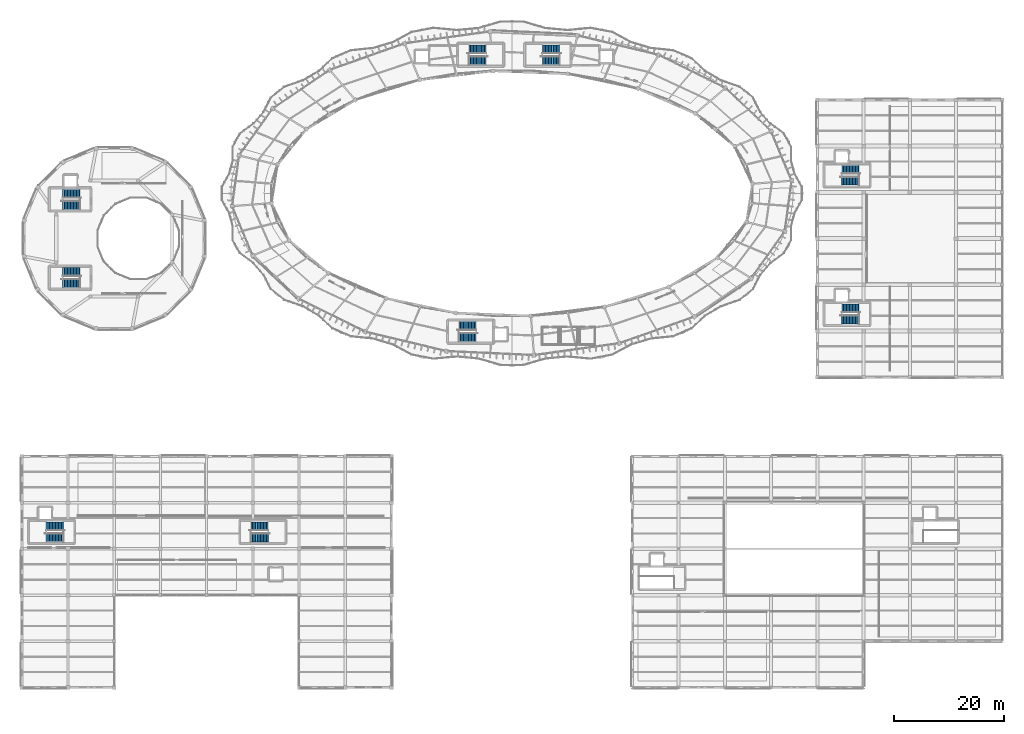
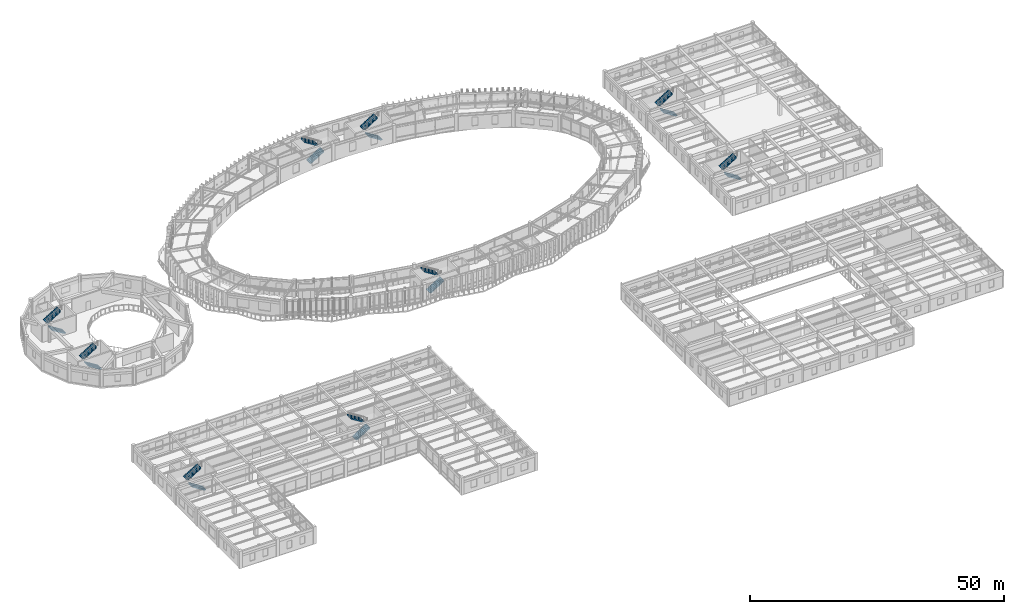
# One storey, part 121 of 138: 18 stair flights, 9 elements without a shape of their own.
"""IFC4 building model written with IfcOpenShell, lengths in metres."""

from ifc_helpers import new_model, si_unit, direction, frame, origin, place, context, subcontext, project, spatial, polyline, outline, extrude, material, type_object, element, aggregate, save


model = new_model("IFC4")

# Units and contexts
model_context = context("Model", 3, precision=1e-05, world=origin(), true_north=direction((0.0, 1.0)))
body_context = subcontext(model_context, "Body", "Model", "MODEL_VIEW")
ifc_project = project(units=[si_unit("LENGTHUNIT", "METRE"), si_unit("AREAUNIT", "SQUARE_METRE"), si_unit("VOLUMEUNIT", "CUBIC_METRE"), si_unit("PLANEANGLEUNIT", "RADIAN"), si_unit("MASSUNIT", "GRAM", prefix="KILO"), si_unit("THERMODYNAMICTEMPERATUREUNIT", "KELVIN"), si_unit("POWERUNIT", "WATT")], contexts=[model_context])

# Site, building, storey
site_placement = place(None, origin())
site = spatial("IfcSite", under=ifc_project, at=site_placement, CompositionType="ELEMENT")
building_placement = place(site_placement, origin())
building = spatial("IfcBuilding", under=site, at=building_placement, Name="Darbajah Civic Hall", CompositionType="ELEMENT")
storey_placement = place(building_placement, frame((0.0, 0.0, 9.60009765625)))
storey = spatial("IfcBuildingStorey", under=building, at=storey_placement, Name="L02", CompositionType="ELEMENT", Elevation=9.60009765625)

# Stair, stair flights
ifc_material_1 = material(Name="Concrete C45/55", Category="concrete")
stair_type = type_object("IfcStairType", Name="Half Turn Stair 1650x4200", PredefinedType="HALF_TURN_STAIR", material=ifc_material_1)
stair_1_placement = place(storey_placement, origin())
stair_1 = element("IfcStair", 1, at=stair_1_placement, inside=storey, type_object=stair_type, Name="L02 enclosed exit stair ST01", PredefinedType="HALF_TURN_STAIR")
ifc_material_2 = material(Name="Precast Concrete C45/55", Category="concrete")
stair_flight_type = type_object("IfcStairFlightType", Name="Stair Flight 12R 280G", PredefinedType="STRAIGHT", material=ifc_material_2)
stair_flight_1_placement = place(storey_placement, frame((81.280029296875, 113.965087890625, 0.0), z_axis=(0.0, 0.0, 1.0), x_axis=(1.0, 0.0, 0.0)))
stair_flight_1 = element("IfcStairFlight", 2, at=stair_flight_1_placement, type_object=stair_flight_type, Name="ST01 L02 lower flight", NumberOfRisers=12, NumberOfTreads=11, PredefinedType="STRAIGHT", RiserHeight=0.175, TreadLength=0.28, context=body_context, shape_type="SweptSolid", body=[
    extrude(outline(polyline([(0.0, 0.0), (0.0, 0.175048828125), (0.280029296875, 0.175048828125), (0.280029296875, 0.35009765625), (0.56005859375, 0.35009765625), (0.56005859375, 0.52490234375), (0.840087890625, 0.52490234375), (0.840087890625, 0.699951171875), (1.1201171875, 0.699951171875), (1.1201171875, 0.875), (1.39990234375, 0.875), (1.39990234375, 1.050048828125), (1.679931640625, 1.050048828125), (1.679931640625, 1.22509765625), (1.9599609375, 1.22509765625), (1.9599609375, 1.39990234375), (2.239990234375, 1.39990234375), (2.239990234375, 1.574951171875), (2.52001953125, 1.574951171875), (2.52001953125, 1.75), (2.800048828125, 1.75), (2.800048828125, 1.925048828125), (3.080078125, 1.925048828125), (3.080078125, 2.10009765625), (3.1201171875, 2.10009765625), (3.1201171875, 1.712890625), (0.37939453125, 0.0), (0.0, 0.0)])), frame((0.0, 0.77490234375, 0.0), z_axis=(0.0, -1.0, 0.0), x_axis=(1.0, 0.0, 0.0)), (0.0, 0.0, 1.0), 1.550048828125),
])
stair_flight_2_placement = place(storey_placement, frame((84.360107421875, 116.034912109375, 2.099853515625), z_axis=(0.0, 0.0, 1.0), x_axis=(-1.0, 0.0, 0.0)))
stair_flight_2 = element("IfcStairFlight", 3, at=stair_flight_2_placement, type_object=stair_flight_type, Name="ST01 L02 upper flight", NumberOfRisers=12, NumberOfTreads=11, PredefinedType="STRAIGHT", RiserHeight=0.175, TreadLength=0.28, context=body_context, shape_type="SweptSolid", body=[
    extrude(outline(polyline([(0.0, 0.0), (0.0, 0.175048828125), (0.280029296875, 0.175048828125), (0.280029296875, 0.35009765625), (0.56005859375, 0.35009765625), (0.56005859375, 0.52490234375), (0.840087890625, 0.52490234375), (0.840087890625, 0.699951171875), (1.1201171875, 0.699951171875), (1.1201171875, 0.875), (1.39990234375, 0.875), (1.39990234375, 1.050048828125), (1.679931640625, 1.050048828125), (1.679931640625, 1.22509765625), (1.9599609375, 1.22509765625), (1.9599609375, 1.39990234375), (2.239990234375, 1.39990234375), (2.239990234375, 1.574951171875), (2.52001953125, 1.574951171875), (2.52001953125, 1.75), (2.800048828125, 1.75), (2.800048828125, 1.925048828125), (3.080078125, 1.925048828125), (3.080078125, 2.10009765625), (3.1201171875, 2.10009765625), (3.1201171875, 1.712890625), (0.37939453125, 0.0), (0.0, 0.0)])), frame((0.0, 0.77490234375, 0.0), z_axis=(0.0, -1.0, 0.0), x_axis=(1.0, 0.0, 0.0)), (0.0, 0.0, 1.0), 1.550048828125),
])
aggregate(stair_1, [stair_flight_1, stair_flight_2])

stair_2_placement = place(storey_placement, origin())
stair_2 = element("IfcStair", 4, at=stair_2_placement, inside=storey, type_object=stair_type, Name="L02 enclosed exit stair ST02", PredefinedType="HALF_TURN_STAIR")
stair_flight_3_placement = place(storey_placement, frame((97.719970703125, 113.965087890625, 0.0), z_axis=(0.0, 0.0, 1.0), x_axis=(-1.0, 0.0, 0.0)))
stair_flight_3 = element("IfcStairFlight", 5, at=stair_flight_3_placement, type_object=stair_flight_type, Name="ST02 L02 lower flight", NumberOfRisers=12, NumberOfTreads=11, PredefinedType="STRAIGHT", RiserHeight=0.175, TreadLength=0.28, context=body_context, shape_type="SweptSolid", body=[
    extrude(outline(polyline([(0.0, 0.0), (0.0, 0.175048828125), (0.280029296875, 0.175048828125), (0.280029296875, 0.35009765625), (0.56005859375, 0.35009765625), (0.56005859375, 0.52490234375), (0.840087890625, 0.52490234375), (0.840087890625, 0.699951171875), (1.1201171875, 0.699951171875), (1.1201171875, 0.875), (1.39990234375, 0.875), (1.39990234375, 1.050048828125), (1.679931640625, 1.050048828125), (1.679931640625, 1.22509765625), (1.9599609375, 1.22509765625), (1.9599609375, 1.39990234375), (2.239990234375, 1.39990234375), (2.239990234375, 1.574951171875), (2.52001953125, 1.574951171875), (2.52001953125, 1.75), (2.800048828125, 1.75), (2.800048828125, 1.925048828125), (3.080078125, 1.925048828125), (3.080078125, 2.10009765625), (3.1201171875, 2.10009765625), (3.1201171875, 1.712890625), (0.37939453125, 0.0), (0.0, 0.0)])), frame((0.0, 0.77490234375, 0.0), z_axis=(0.0, -1.0, 0.0), x_axis=(1.0, 0.0, 0.0)), (0.0, 0.0, 1.0), 1.550048828125),
])
stair_flight_4_placement = place(storey_placement, frame((94.639892578125, 116.034912109375, 2.099853515625), z_axis=(0.0, 0.0, 1.0), x_axis=(1.0, 0.0, 0.0)))
stair_flight_4 = element("IfcStairFlight", 6, at=stair_flight_4_placement, type_object=stair_flight_type, Name="ST02 L02 upper flight", NumberOfRisers=12, NumberOfTreads=11, PredefinedType="STRAIGHT", RiserHeight=0.175, TreadLength=0.28, context=body_context, shape_type="SweptSolid", body=[
    extrude(outline(polyline([(0.0, 0.0), (0.0, 0.175048828125), (0.280029296875, 0.175048828125), (0.280029296875, 0.35009765625), (0.56005859375, 0.35009765625), (0.56005859375, 0.52490234375), (0.840087890625, 0.52490234375), (0.840087890625, 0.699951171875), (1.1201171875, 0.699951171875), (1.1201171875, 0.875), (1.39990234375, 0.875), (1.39990234375, 1.050048828125), (1.679931640625, 1.050048828125), (1.679931640625, 1.22509765625), (1.9599609375, 1.22509765625), (1.9599609375, 1.39990234375), (2.239990234375, 1.39990234375), (2.239990234375, 1.574951171875), (2.52001953125, 1.574951171875), (2.52001953125, 1.75), (2.800048828125, 1.75), (2.800048828125, 1.925048828125), (3.080078125, 1.925048828125), (3.080078125, 2.10009765625), (3.1201171875, 2.10009765625), (3.1201171875, 1.712890625), (0.37939453125, 0.0), (0.0, 0.0)])), frame((0.0, 0.77490234375, 0.0), z_axis=(0.0, -1.0, 0.0), x_axis=(1.0, 0.0, 0.0)), (0.0, 0.0, 1.0), 1.550048828125),
])
aggregate(stair_2, [stair_flight_3, stair_flight_4])

stair_3_placement = place(storey_placement, origin())
stair_3 = element("IfcStair", 7, at=stair_3_placement, inside=storey, type_object=stair_type, Name="L02 enclosed exit stair ST03", PredefinedType="HALF_TURN_STAIR")
stair_flight_5_placement = place(storey_placement, frame((79.47998046875, 63.6650390625, 0.0), z_axis=(0.0, 0.0, 1.0), x_axis=(1.0, 0.0, 0.0)))
stair_flight_5 = element("IfcStairFlight", 8, at=stair_flight_5_placement, type_object=stair_flight_type, Name="ST03 L02 lower flight", NumberOfRisers=12, NumberOfTreads=11, PredefinedType="STRAIGHT", RiserHeight=0.175, TreadLength=0.28, context=body_context, shape_type="SweptSolid", body=[
    extrude(outline(polyline([(0.0, 0.0), (0.0, 0.175048828125), (0.280029296875, 0.175048828125), (0.280029296875, 0.35009765625), (0.56005859375, 0.35009765625), (0.56005859375, 0.52490234375), (0.840087890625, 0.52490234375), (0.840087890625, 0.699951171875), (1.1201171875, 0.699951171875), (1.1201171875, 0.875), (1.39990234375, 0.875), (1.39990234375, 1.050048828125), (1.679931640625, 1.050048828125), (1.679931640625, 1.22509765625), (1.9599609375, 1.22509765625), (1.9599609375, 1.39990234375), (2.239990234375, 1.39990234375), (2.239990234375, 1.574951171875), (2.52001953125, 1.574951171875), (2.52001953125, 1.75), (2.800048828125, 1.75), (2.800048828125, 1.925048828125), (3.080078125, 1.925048828125), (3.080078125, 2.10009765625), (3.1201171875, 2.10009765625), (3.1201171875, 1.712890625), (0.37939453125, 0.0), (0.0, 0.0)])), frame((0.0, 0.77490234375, 0.0), z_axis=(0.0, -1.0, 0.0), x_axis=(1.0, 0.0, 0.0)), (0.0, 0.0, 1.0), 1.550048828125),
])
stair_flight_6_placement = place(storey_placement, frame((82.56005859375, 65.735107421875, 2.099853515625), z_axis=(0.0, 0.0, 1.0), x_axis=(-1.0, 0.0, 0.0)))
stair_flight_6 = element("IfcStairFlight", 9, at=stair_flight_6_placement, type_object=stair_flight_type, Name="ST03 L02 upper flight", NumberOfRisers=12, NumberOfTreads=11, PredefinedType="STRAIGHT", RiserHeight=0.175, TreadLength=0.28, context=body_context, shape_type="SweptSolid", body=[
    extrude(outline(polyline([(0.0, 0.0), (0.0, 0.175048828125), (0.280029296875, 0.175048828125), (0.280029296875, 0.35009765625), (0.56005859375, 0.35009765625), (0.56005859375, 0.52490234375), (0.840087890625, 0.52490234375), (0.840087890625, 0.699951171875), (1.1201171875, 0.699951171875), (1.1201171875, 0.875), (1.39990234375, 0.875), (1.39990234375, 1.050048828125), (1.679931640625, 1.050048828125), (1.679931640625, 1.22509765625), (1.9599609375, 1.22509765625), (1.9599609375, 1.39990234375), (2.239990234375, 1.39990234375), (2.239990234375, 1.574951171875), (2.52001953125, 1.574951171875), (2.52001953125, 1.75), (2.800048828125, 1.75), (2.800048828125, 1.925048828125), (3.080078125, 1.925048828125), (3.080078125, 2.10009765625), (3.1201171875, 2.10009765625), (3.1201171875, 1.712890625), (0.37939453125, 0.0), (0.0, 0.0)])), frame((0.0, 0.77490234375, 0.0), z_axis=(0.0, -1.0, 0.0), x_axis=(1.0, 0.0, 0.0)), (0.0, 0.0, 1.0), 1.550048828125),
])
aggregate(stair_3, [stair_flight_5, stair_flight_6])

stair_4_placement = place(storey_placement, origin())
stair_4 = element("IfcStair", 10, at=stair_4_placement, inside=storey, type_object=stair_type, Name="L02 enclosed exit stair ST04", PredefinedType="HALF_TURN_STAIR")
stair_flight_7_placement = place(storey_placement, frame((10.52001953125, 87.6650390625, 0.0), z_axis=(0.0, 0.0, 1.0), x_axis=(-1.0, 0.0, 0.0)))
stair_flight_7 = element("IfcStairFlight", 11, at=stair_flight_7_placement, type_object=stair_flight_type, Name="ST04 L02 lower flight", NumberOfRisers=12, NumberOfTreads=11, PredefinedType="STRAIGHT", RiserHeight=0.175, TreadLength=0.28, context=body_context, shape_type="SweptSolid", body=[
    extrude(outline(polyline([(0.0, 0.0), (0.0, 0.175048828125), (0.280029296875, 0.175048828125), (0.280029296875, 0.35009765625), (0.56005859375, 0.35009765625), (0.56005859375, 0.52490234375), (0.840087890625, 0.52490234375), (0.840087890625, 0.699951171875), (1.1201171875, 0.699951171875), (1.1201171875, 0.875), (1.39990234375, 0.875), (1.39990234375, 1.050048828125), (1.679931640625, 1.050048828125), (1.679931640625, 1.22509765625), (1.9599609375, 1.22509765625), (1.9599609375, 1.39990234375), (2.239990234375, 1.39990234375), (2.239990234375, 1.574951171875), (2.52001953125, 1.574951171875), (2.52001953125, 1.75), (2.800048828125, 1.75), (2.800048828125, 1.925048828125), (3.080078125, 1.925048828125), (3.080078125, 2.10009765625), (3.1201171875, 2.10009765625), (3.1201171875, 1.712890625), (0.37939453125, 0.0), (0.0, 0.0)])), frame((0.0, 0.77490234375, 0.0), z_axis=(0.0, -1.0, 0.0), x_axis=(1.0, 0.0, 0.0)), (0.0, 0.0, 1.0), 1.550048828125),
])
stair_flight_8_placement = place(storey_placement, frame((7.43994140625, 89.735107421875, 2.099853515625), z_axis=(0.0, 0.0, 1.0), x_axis=(1.0, 0.0, 0.0)))
stair_flight_8 = element("IfcStairFlight", 12, at=stair_flight_8_placement, type_object=stair_flight_type, Name="ST04 L02 upper flight", NumberOfRisers=12, NumberOfTreads=11, PredefinedType="STRAIGHT", RiserHeight=0.175, TreadLength=0.28, context=body_context, shape_type="SweptSolid", body=[
    extrude(outline(polyline([(0.0, 0.0), (0.0, 0.175048828125), (0.280029296875, 0.175048828125), (0.280029296875, 0.35009765625), (0.56005859375, 0.35009765625), (0.56005859375, 0.52490234375), (0.840087890625, 0.52490234375), (0.840087890625, 0.699951171875), (1.1201171875, 0.699951171875), (1.1201171875, 0.875), (1.39990234375, 0.875), (1.39990234375, 1.050048828125), (1.679931640625, 1.050048828125), (1.679931640625, 1.22509765625), (1.9599609375, 1.22509765625), (1.9599609375, 1.39990234375), (2.239990234375, 1.39990234375), (2.239990234375, 1.574951171875), (2.52001953125, 1.574951171875), (2.52001953125, 1.75), (2.800048828125, 1.75), (2.800048828125, 1.925048828125), (3.080078125, 1.925048828125), (3.080078125, 2.10009765625), (3.1201171875, 2.10009765625), (3.1201171875, 1.712890625), (0.37939453125, 0.0), (0.0, 0.0)])), frame((0.0, 0.77490234375, 0.0), z_axis=(0.0, -1.0, 0.0), x_axis=(1.0, 0.0, 0.0)), (0.0, 0.0, 1.0), 1.550048828125),
])
aggregate(stair_4, [stair_flight_7, stair_flight_8])

stair_5_placement = place(storey_placement, origin())
stair_5 = element("IfcStair", 13, at=stair_5_placement, inside=storey, type_object=stair_type, Name="L02 enclosed exit stair ST05", PredefinedType="HALF_TURN_STAIR")
stair_flight_9_placement = place(storey_placement, frame((10.52001953125, 73.465087890625, 0.0), z_axis=(0.0, 0.0, 1.0), x_axis=(-1.0, 0.0, 0.0)))
stair_flight_9 = element("IfcStairFlight", 14, at=stair_flight_9_placement, type_object=stair_flight_type, Name="ST05 L02 lower flight", NumberOfRisers=12, NumberOfTreads=11, PredefinedType="STRAIGHT", RiserHeight=0.175, TreadLength=0.28, context=body_context, shape_type="SweptSolid", body=[
    extrude(outline(polyline([(0.0, 0.0), (0.0, 0.175048828125), (0.280029296875, 0.175048828125), (0.280029296875, 0.35009765625), (0.56005859375, 0.35009765625), (0.56005859375, 0.52490234375), (0.840087890625, 0.52490234375), (0.840087890625, 0.699951171875), (1.1201171875, 0.699951171875), (1.1201171875, 0.875), (1.39990234375, 0.875), (1.39990234375, 1.050048828125), (1.679931640625, 1.050048828125), (1.679931640625, 1.22509765625), (1.9599609375, 1.22509765625), (1.9599609375, 1.39990234375), (2.239990234375, 1.39990234375), (2.239990234375, 1.574951171875), (2.52001953125, 1.574951171875), (2.52001953125, 1.75), (2.800048828125, 1.75), (2.800048828125, 1.925048828125), (3.080078125, 1.925048828125), (3.080078125, 2.10009765625), (3.1201171875, 2.10009765625), (3.1201171875, 1.712890625), (0.37939453125, 0.0), (0.0, 0.0)])), frame((0.0, 0.77490234375, 0.0), z_axis=(0.0, -1.0, 0.0), x_axis=(1.0, 0.0, 0.0)), (0.0, 0.0, 1.0), 1.550048828125),
])
stair_flight_10_placement = place(storey_placement, frame((7.43994140625, 75.534912109375, 2.099853515625), z_axis=(0.0, 0.0, 1.0), x_axis=(1.0, 0.0, 0.0)))
stair_flight_10 = element("IfcStairFlight", 15, at=stair_flight_10_placement, type_object=stair_flight_type, Name="ST05 L02 upper flight", NumberOfRisers=12, NumberOfTreads=11, PredefinedType="STRAIGHT", RiserHeight=0.175, TreadLength=0.28, context=body_context, shape_type="SweptSolid", body=[
    extrude(outline(polyline([(0.0, 0.0), (0.0, 0.175048828125), (0.280029296875, 0.175048828125), (0.280029296875, 0.35009765625), (0.56005859375, 0.35009765625), (0.56005859375, 0.52490234375), (0.840087890625, 0.52490234375), (0.840087890625, 0.699951171875), (1.1201171875, 0.699951171875), (1.1201171875, 0.875), (1.39990234375, 0.875), (1.39990234375, 1.050048828125), (1.679931640625, 1.050048828125), (1.679931640625, 1.22509765625), (1.9599609375, 1.22509765625), (1.9599609375, 1.39990234375), (2.239990234375, 1.39990234375), (2.239990234375, 1.574951171875), (2.52001953125, 1.574951171875), (2.52001953125, 1.75), (2.800048828125, 1.75), (2.800048828125, 1.925048828125), (3.080078125, 1.925048828125), (3.080078125, 2.10009765625), (3.1201171875, 2.10009765625), (3.1201171875, 1.712890625), (0.37939453125, 0.0), (0.0, 0.0)])), frame((0.0, 0.77490234375, 0.0), z_axis=(0.0, -1.0, 0.0), x_axis=(1.0, 0.0, 0.0)), (0.0, 0.0, 1.0), 1.550048828125),
])
aggregate(stair_5, [stair_flight_9, stair_flight_10])

stair_6_placement = place(storey_placement, origin())
stair_6 = element("IfcStair", 16, at=stair_6_placement, inside=storey, type_object=stair_type, Name="L02 enclosed exit stair ST08", PredefinedType="HALF_TURN_STAIR")
stair_flight_11_placement = place(storey_placement, frame((152.1201171875, 92.06494140625, 0.0), z_axis=(0.0, 0.0, 1.0), x_axis=(-1.0, 0.0, 0.0)))
stair_flight_11 = element("IfcStairFlight", 17, at=stair_flight_11_placement, type_object=stair_flight_type, Name="ST08 L02 lower flight", NumberOfRisers=12, NumberOfTreads=11, PredefinedType="STRAIGHT", RiserHeight=0.175, TreadLength=0.28, context=body_context, shape_type="SweptSolid", body=[
    extrude(outline(polyline([(0.0, 0.0), (0.0, 0.175048828125), (0.280029296875, 0.175048828125), (0.280029296875, 0.35009765625), (0.56005859375, 0.35009765625), (0.56005859375, 0.52490234375), (0.840087890625, 0.52490234375), (0.840087890625, 0.699951171875), (1.1201171875, 0.699951171875), (1.1201171875, 0.875), (1.39990234375, 0.875), (1.39990234375, 1.050048828125), (1.679931640625, 1.050048828125), (1.679931640625, 1.22509765625), (1.9599609375, 1.22509765625), (1.9599609375, 1.39990234375), (2.239990234375, 1.39990234375), (2.239990234375, 1.574951171875), (2.52001953125, 1.574951171875), (2.52001953125, 1.75), (2.800048828125, 1.75), (2.800048828125, 1.925048828125), (3.080078125, 1.925048828125), (3.080078125, 2.10009765625), (3.1201171875, 2.10009765625), (3.1201171875, 1.712890625), (0.37939453125, 0.0), (0.0, 0.0)])), frame((0.0, 0.77490234375, 0.0), z_axis=(0.0, -1.0, 0.0), x_axis=(1.0, 0.0, 0.0)), (0.0, 0.0, 1.0), 1.550048828125),
])
stair_flight_12_placement = place(storey_placement, frame((149.0400390625, 94.135009765625, 2.099853515625), z_axis=(0.0, 0.0, 1.0), x_axis=(1.0, 0.0, 0.0)))
stair_flight_12 = element("IfcStairFlight", 18, at=stair_flight_12_placement, type_object=stair_flight_type, Name="ST08 L02 upper flight", NumberOfRisers=12, NumberOfTreads=11, PredefinedType="STRAIGHT", RiserHeight=0.175, TreadLength=0.28, context=body_context, shape_type="SweptSolid", body=[
    extrude(outline(polyline([(0.0, 0.0), (0.0, 0.175048828125), (0.280029296875, 0.175048828125), (0.280029296875, 0.35009765625), (0.56005859375, 0.35009765625), (0.56005859375, 0.52490234375), (0.840087890625, 0.52490234375), (0.840087890625, 0.699951171875), (1.1201171875, 0.699951171875), (1.1201171875, 0.875), (1.39990234375, 0.875), (1.39990234375, 1.050048828125), (1.679931640625, 1.050048828125), (1.679931640625, 1.22509765625), (1.9599609375, 1.22509765625), (1.9599609375, 1.39990234375), (2.239990234375, 1.39990234375), (2.239990234375, 1.574951171875), (2.52001953125, 1.574951171875), (2.52001953125, 1.75), (2.800048828125, 1.75), (2.800048828125, 1.925048828125), (3.080078125, 1.925048828125), (3.080078125, 2.10009765625), (3.1201171875, 2.10009765625), (3.1201171875, 1.712890625), (0.37939453125, 0.0), (0.0, 0.0)])), frame((0.0, 0.77490234375, 0.0), z_axis=(0.0, -1.0, 0.0), x_axis=(1.0, 0.0, 0.0)), (0.0, 0.0, 1.0), 1.550048828125),
])
aggregate(stair_6, [stair_flight_11, stair_flight_12])

stair_7_placement = place(storey_placement, origin())
stair_7 = element("IfcStair", 19, at=stair_7_placement, inside=storey, type_object=stair_type, Name="L02 enclosed exit stair ST09", PredefinedType="HALF_TURN_STAIR")
stair_flight_13_placement = place(storey_placement, frame((152.1201171875, 66.864990234375, 0.0), z_axis=(0.0, 0.0, 1.0), x_axis=(-1.0, 0.0, 0.0)))
stair_flight_13 = element("IfcStairFlight", 20, at=stair_flight_13_placement, type_object=stair_flight_type, Name="ST09 L02 lower flight", NumberOfRisers=12, NumberOfTreads=11, PredefinedType="STRAIGHT", RiserHeight=0.175, TreadLength=0.28, context=body_context, shape_type="SweptSolid", body=[
    extrude(outline(polyline([(0.0, 0.0), (0.0, 0.175048828125), (0.280029296875, 0.175048828125), (0.280029296875, 0.35009765625), (0.56005859375, 0.35009765625), (0.56005859375, 0.52490234375), (0.840087890625, 0.52490234375), (0.840087890625, 0.699951171875), (1.1201171875, 0.699951171875), (1.1201171875, 0.875), (1.39990234375, 0.875), (1.39990234375, 1.050048828125), (1.679931640625, 1.050048828125), (1.679931640625, 1.22509765625), (1.9599609375, 1.22509765625), (1.9599609375, 1.39990234375), (2.239990234375, 1.39990234375), (2.239990234375, 1.574951171875), (2.52001953125, 1.574951171875), (2.52001953125, 1.75), (2.800048828125, 1.75), (2.800048828125, 1.925048828125), (3.080078125, 1.925048828125), (3.080078125, 2.10009765625), (3.1201171875, 2.10009765625), (3.1201171875, 1.712890625), (0.37939453125, 0.0), (0.0, 0.0)])), frame((0.0, 0.77490234375, 0.0), z_axis=(0.0, -1.0, 0.0), x_axis=(1.0, 0.0, 0.0)), (0.0, 0.0, 1.0), 1.550048828125),
])
stair_flight_14_placement = place(storey_placement, frame((149.0400390625, 68.93505859375, 2.099853515625), z_axis=(0.0, 0.0, 1.0), x_axis=(1.0, 0.0, 0.0)))
stair_flight_14 = element("IfcStairFlight", 21, at=stair_flight_14_placement, type_object=stair_flight_type, Name="ST09 L02 upper flight", NumberOfRisers=12, NumberOfTreads=11, PredefinedType="STRAIGHT", RiserHeight=0.175, TreadLength=0.28, context=body_context, shape_type="SweptSolid", body=[
    extrude(outline(polyline([(0.0, 0.0), (0.0, 0.175048828125), (0.280029296875, 0.175048828125), (0.280029296875, 0.35009765625), (0.56005859375, 0.35009765625), (0.56005859375, 0.52490234375), (0.840087890625, 0.52490234375), (0.840087890625, 0.699951171875), (1.1201171875, 0.699951171875), (1.1201171875, 0.875), (1.39990234375, 0.875), (1.39990234375, 1.050048828125), (1.679931640625, 1.050048828125), (1.679931640625, 1.22509765625), (1.9599609375, 1.22509765625), (1.9599609375, 1.39990234375), (2.239990234375, 1.39990234375), (2.239990234375, 1.574951171875), (2.52001953125, 1.574951171875), (2.52001953125, 1.75), (2.800048828125, 1.75), (2.800048828125, 1.925048828125), (3.080078125, 1.925048828125), (3.080078125, 2.10009765625), (3.1201171875, 2.10009765625), (3.1201171875, 1.712890625), (0.37939453125, 0.0), (0.0, 0.0)])), frame((0.0, 0.77490234375, 0.0), z_axis=(0.0, -1.0, 0.0), x_axis=(1.0, 0.0, 0.0)), (0.0, 0.0, 1.0), 1.550048828125),
])
aggregate(stair_7, [stair_flight_13, stair_flight_14])

stair_8_placement = place(storey_placement, origin())
stair_8 = element("IfcStair", 22, at=stair_8_placement, inside=storey, type_object=stair_type, Name="L02 enclosed exit stair ST10", PredefinedType="HALF_TURN_STAIR")
stair_flight_15_placement = place(storey_placement, frame((7.52001953125, 27.264892578125, 0.0), z_axis=(0.0, 0.0, 1.0), x_axis=(-1.0, 0.0, 0.0)))
stair_flight_15 = element("IfcStairFlight", 23, at=stair_flight_15_placement, type_object=stair_flight_type, Name="ST10 L02 lower flight", NumberOfRisers=12, NumberOfTreads=11, PredefinedType="STRAIGHT", RiserHeight=0.175, TreadLength=0.28, context=body_context, shape_type="SweptSolid", body=[
    extrude(outline(polyline([(0.0, 0.0), (0.0, 0.175048828125), (0.280029296875, 0.175048828125), (0.280029296875, 0.35009765625), (0.56005859375, 0.35009765625), (0.56005859375, 0.52490234375), (0.840087890625, 0.52490234375), (0.840087890625, 0.699951171875), (1.1201171875, 0.699951171875), (1.1201171875, 0.875), (1.39990234375, 0.875), (1.39990234375, 1.050048828125), (1.679931640625, 1.050048828125), (1.679931640625, 1.22509765625), (1.9599609375, 1.22509765625), (1.9599609375, 1.39990234375), (2.239990234375, 1.39990234375), (2.239990234375, 1.574951171875), (2.52001953125, 1.574951171875), (2.52001953125, 1.75), (2.800048828125, 1.75), (2.800048828125, 1.925048828125), (3.080078125, 1.925048828125), (3.080078125, 2.10009765625), (3.1201171875, 2.10009765625), (3.1201171875, 1.712890625), (0.37939453125, 0.0), (0.0, 0.0)])), frame((0.0, 0.77490234375, 0.0), z_axis=(0.0, -1.0, 0.0), x_axis=(1.0, 0.0, 0.0)), (0.0, 0.0, 1.0), 1.550048828125),
])
stair_flight_16_placement = place(storey_placement, frame((4.43994140625, 29.3349609375, 2.099853515625), z_axis=(0.0, 0.0, 1.0), x_axis=(1.0, 0.0, 0.0)))
stair_flight_16 = element("IfcStairFlight", 24, at=stair_flight_16_placement, type_object=stair_flight_type, Name="ST10 L02 upper flight", NumberOfRisers=12, NumberOfTreads=11, PredefinedType="STRAIGHT", RiserHeight=0.175, TreadLength=0.28, context=body_context, shape_type="SweptSolid", body=[
    extrude(outline(polyline([(0.0, 0.0), (0.0, 0.175048828125), (0.280029296875, 0.175048828125), (0.280029296875, 0.35009765625), (0.56005859375, 0.35009765625), (0.56005859375, 0.52490234375), (0.840087890625, 0.52490234375), (0.840087890625, 0.699951171875), (1.1201171875, 0.699951171875), (1.1201171875, 0.875), (1.39990234375, 0.875), (1.39990234375, 1.050048828125), (1.679931640625, 1.050048828125), (1.679931640625, 1.22509765625), (1.9599609375, 1.22509765625), (1.9599609375, 1.39990234375), (2.239990234375, 1.39990234375), (2.239990234375, 1.574951171875), (2.52001953125, 1.574951171875), (2.52001953125, 1.75), (2.800048828125, 1.75), (2.800048828125, 1.925048828125), (3.080078125, 1.925048828125), (3.080078125, 2.10009765625), (3.1201171875, 2.10009765625), (3.1201171875, 1.712890625), (0.37939453125, 0.0), (0.0, 0.0)])), frame((0.0, 0.77490234375, 0.0), z_axis=(0.0, -1.0, 0.0), x_axis=(1.0, 0.0, 0.0)), (0.0, 0.0, 1.0), 1.550048828125),
])
aggregate(stair_8, [stair_flight_15, stair_flight_16])

stair_9_placement = place(storey_placement, origin())
stair_9 = element("IfcStair", 25, at=stair_9_placement, inside=storey, type_object=stair_type, Name="L02 enclosed exit stair ST11", PredefinedType="HALF_TURN_STAIR")
stair_flight_17_placement = place(storey_placement, frame((41.679931640625, 27.264892578125, 0.0), z_axis=(0.0, 0.0, 1.0), x_axis=(1.0, 0.0, 0.0)))
stair_flight_17 = element("IfcStairFlight", 26, at=stair_flight_17_placement, type_object=stair_flight_type, Name="ST11 L02 lower flight", NumberOfRisers=12, NumberOfTreads=11, PredefinedType="STRAIGHT", RiserHeight=0.175, TreadLength=0.28, context=body_context, shape_type="SweptSolid", body=[
    extrude(outline(polyline([(0.0, 0.0), (0.0, 0.175048828125), (0.280029296875, 0.175048828125), (0.280029296875, 0.35009765625), (0.56005859375, 0.35009765625), (0.56005859375, 0.52490234375), (0.840087890625, 0.52490234375), (0.840087890625, 0.699951171875), (1.1201171875, 0.699951171875), (1.1201171875, 0.875), (1.39990234375, 0.875), (1.39990234375, 1.050048828125), (1.679931640625, 1.050048828125), (1.679931640625, 1.22509765625), (1.9599609375, 1.22509765625), (1.9599609375, 1.39990234375), (2.239990234375, 1.39990234375), (2.239990234375, 1.574951171875), (2.52001953125, 1.574951171875), (2.52001953125, 1.75), (2.800048828125, 1.75), (2.800048828125, 1.925048828125), (3.080078125, 1.925048828125), (3.080078125, 2.10009765625), (3.1201171875, 2.10009765625), (3.1201171875, 1.712890625), (0.37939453125, 0.0), (0.0, 0.0)])), frame((0.0, 0.77490234375, 0.0), z_axis=(0.0, -1.0, 0.0), x_axis=(1.0, 0.0, 0.0)), (0.0, 0.0, 1.0), 1.550048828125),
])
stair_flight_18_placement = place(storey_placement, frame((44.760009765625, 29.3349609375, 2.099853515625), z_axis=(0.0, 0.0, 1.0), x_axis=(-1.0, 0.0, 0.0)))
stair_flight_18 = element("IfcStairFlight", 27, at=stair_flight_18_placement, type_object=stair_flight_type, Name="ST11 L02 upper flight", NumberOfRisers=12, NumberOfTreads=11, PredefinedType="STRAIGHT", RiserHeight=0.175, TreadLength=0.28, context=body_context, shape_type="SweptSolid", body=[
    extrude(outline(polyline([(0.0, 0.0), (0.0, 0.175048828125), (0.280029296875, 0.175048828125), (0.280029296875, 0.35009765625), (0.56005859375, 0.35009765625), (0.56005859375, 0.52490234375), (0.840087890625, 0.52490234375), (0.840087890625, 0.699951171875), (1.1201171875, 0.699951171875), (1.1201171875, 0.875), (1.39990234375, 0.875), (1.39990234375, 1.050048828125), (1.679931640625, 1.050048828125), (1.679931640625, 1.22509765625), (1.9599609375, 1.22509765625), (1.9599609375, 1.39990234375), (2.239990234375, 1.39990234375), (2.239990234375, 1.574951171875), (2.52001953125, 1.574951171875), (2.52001953125, 1.75), (2.800048828125, 1.75), (2.800048828125, 1.925048828125), (3.080078125, 1.925048828125), (3.080078125, 2.10009765625), (3.1201171875, 2.10009765625), (3.1201171875, 1.712890625), (0.37939453125, 0.0), (0.0, 0.0)])), frame((0.0, 0.77490234375, 0.0), z_axis=(0.0, -1.0, 0.0), x_axis=(1.0, 0.0, 0.0)), (0.0, 0.0, 1.0), 1.550048828125),
])
aggregate(stair_9, [stair_flight_17, stair_flight_18])

save(model, "model.ifc")
